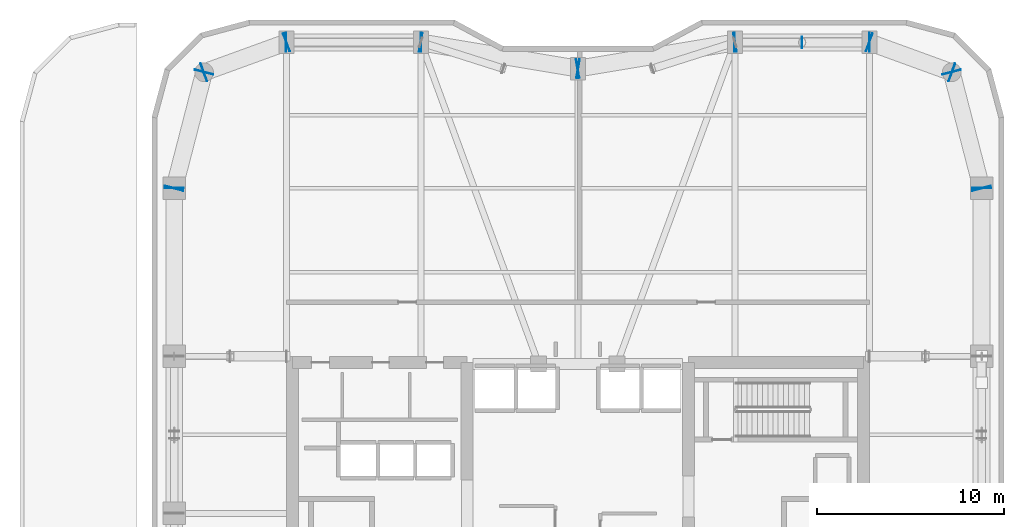
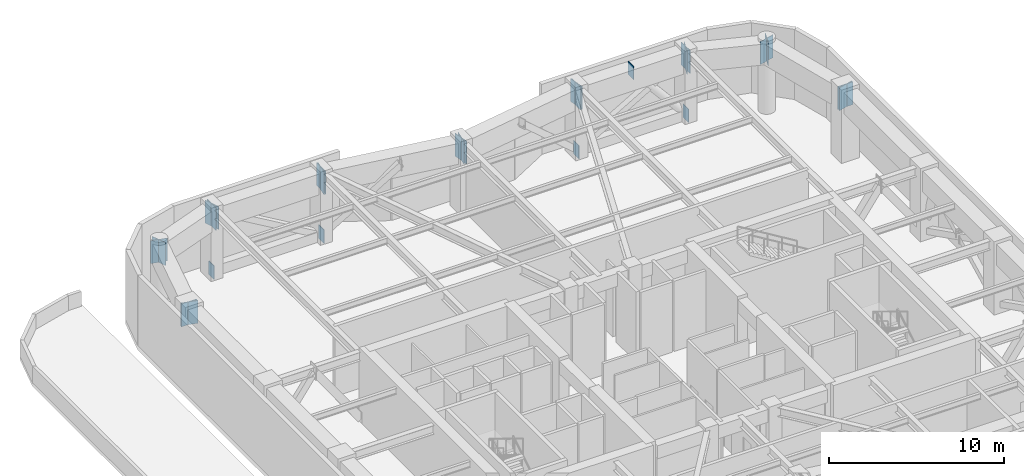
# One storey, part 8 of 16: 23 plates.
"""IFC4 building model written with IfcOpenShell, lengths in metres."""

from ifc_helpers import new_model, si_unit, direction, frame, origin, origin_2d, place, context, subcontext, project, spatial, rectangle, extrude, material, layer, layer_set, type_object, element, save


model = new_model("IFC4")

# Units and contexts
model_context = context("Model", 3, precision=1e-05, world=origin(), true_north=direction((0.0, 1.0)))
body_context = subcontext(model_context, "Body", "Model", "MODEL_VIEW")
ifc_project = project(units=[si_unit("LENGTHUNIT", "METRE"), si_unit("AREAUNIT", "SQUARE_METRE"), si_unit("VOLUMEUNIT", "CUBIC_METRE"), si_unit("PLANEANGLEUNIT", "RADIAN"), si_unit("MASSUNIT", "GRAM", prefix="KILO")], contexts=[model_context])

# Site, building, storey
site_placement = place(None, origin())
site = spatial("IfcSite", under=ifc_project, at=site_placement, CompositionType="ELEMENT")
building_placement = place(site_placement, origin())
building = spatial("IfcBuilding", under=site, at=building_placement, Name="Kiyonajd Concourse Tower", CompositionType="ELEMENT")
storey_placement = place(building_placement, frame((0.0, 0.0, 209.699951171875)))
storey = spatial("IfcBuildingStorey", under=building, at=storey_placement, Name="L53", CompositionType="ELEMENT", Elevation=209.699951171875)

# Plates
ifc_material = material(Name="Steel ASTM A572 Grade 50", Category="steel")
ifc_layer_1 = layer(ifc_material, 0.028076171875)
ifc_layer_set_1 = layer_set([ifc_layer_1], Name="Steel ASTM A572 Grade 50")
plate_type_1 = type_object("IfcPlateType", Name="PL-CAP-450", PredefinedType="USERDEFINED", material=ifc_layer_set_1)
plate_placement = place(storey_placement, frame((59.992919921875, 61.199951171875, 4.076171875), z_axis=(0.0, 0.0, 1.0), x_axis=(-1.0, 0.0, 0.0)))
element("IfcPlate", 1, at=plate_placement, inside=storey, type_object=plate_type_1, Name="L53 Hollow Brace Top Cap Plate PBN", ObjectType="CAP PLATE", PredefinedType="USERDEFINED", context=body_context, shape_type="SweptSolid", body=[
    extrude(rectangle(XDim=0.035888671875, YDim=0.6279296875, at=origin_2d()), origin(), (0.0, 0.0, 1.0), 0.924072265625),
])
ifc_layer_2 = layer(ifc_material, 0.031982421875)
ifc_layer_set_2 = layer_set([ifc_layer_2], Name="Steel ASTM A572 Grade 50")
plate_type_2 = type_object("IfcPlateType", Name="PL-CAP-540", PredefinedType="USERDEFINED", material=ifc_layer_set_2)
for number, where, z_axis, x_axis, name in (
    (2, (32.388916015625, 61.199951171875, -0.169921875), (0.0, 0.0, 1.0), (-1.0, 0.0, 0.0), "L53 Belt Chord Cap Plate"),
    (3, (39.611083984375, 61.199951171875, -0.169921875), (0.0, 0.0, 1.0), (1.0, 0.0, 0.0), "L53 Belt Chord Cap Plate"),
    (4, (56.388916015625, 61.199951171875, -0.169921875), (0.0, 0.0, 1.0), (-1.0, 0.0, 0.0), "L53 Belt Chord Cap Plate"),
    (5, (63.611083984375, 61.199951171875, -0.169921875), (0.0, 0.0, 1.0), (1.0, 0.0, 0.0), "L53 Belt Chord Cap Plate"),
):
    element("IfcPlate", number, at=place(storey_placement, frame(where, z_axis=z_axis, x_axis=x_axis)), inside=storey, type_object=plate_type_2, Name=name, ObjectType="CAP PLATE", PredefinedType="USERDEFINED", context=body_context, shape_type="SweptSolid", body=[
        extrude(rectangle(XDim=0.035888671875, YDim=0.6201171875, at=origin_2d()), origin(), (0.0, 0.0, 1.0), 0.93994140625),
    ])
for number, where, z_axis, x_axis, name in (
    (6, (69.60009765625, 53.410888671875, 3.35986328125), (0.0, 0.0, 1.0), (0.0, 1.0, 0.0), "L53 Welded Box Girder End Cap"),
    (7, (69.602783203125, 53.389404296875, 3.35986328125), (0.0, 0.0, 1.0), (0.249873048837, -0.968278606324, 0.0), "L53 Welded Box Girder End Cap"),
    (8, (67.997314453125, 59.610595703125, 3.35986328125), (0.0, 0.0, 1.0), (-0.249873048837, 0.968278606324, 0.0), "L53 Welded Box Girder End Cap"),
    (9, (68.01025390625, 59.59619140625, 3.35986328125), (0.0, 0.0, 1.0), (0.939811951086, -0.341692107891, 0.0), "L53 Welded Box Girder End Cap"),
    (10, (63.589599609375, 61.203857421875, 3.35986328125), (0.0, 0.0, 1.0), (-0.939811951086, 0.341692107891, 0.0), "L53 Welded Box Girder End Cap"),
    (11, (63.611083984375, 61.199951171875, 3.35986328125), (0.0, 0.0, 1.0), (1.0, 0.0, 0.0), "L53 Welded Box Girder End Cap"),
    (12, (56.388916015625, 61.199951171875, 3.35986328125), (0.0, 0.0, 1.0), (-1.0, 0.0, 0.0), "L53 Welded Box Girder End Cap"),
    (13, (56.410888671875, 61.201904296875, 3.35986328125), (0.0, 0.0, 1.0), (0.986400586142, 0.164359008451, 0.0), "L53 Welded Box Girder End Cap"),
    (14, (47.989013671875, 59.798095703125, 3.35986328125), (0.0, 0.0, 1.0), (-0.986400586142, -0.164359008451, 0.0), "L53 Welded Box Girder End Cap"),
    (15, (48.010986328125, 59.798095703125, 3.35986328125), (0.0, 0.0, 1.0), (0.986400586142, -0.164359008451, 0.0), "L53 Welded Box Girder End Cap"),
    (16, (39.589111328125, 61.201904296875, 3.35986328125), (0.0, 0.0, 1.0), (-0.986400586142, 0.164359008451, 0.0), "L53 Welded Box Girder End Cap"),
    (17, (39.611083984375, 61.199951171875, 3.35986328125), (0.0, 0.0, 1.0), (1.0, 0.0, 0.0), "L53 Welded Box Girder End Cap"),
    (18, (32.388916015625, 61.199951171875, 3.35986328125), (0.0, 0.0, 1.0), (-1.0, 0.0, 0.0), "L53 Welded Box Girder End Cap"),
    (19, (32.410400390625, 61.203857421875, 3.35986328125), (0.0, 0.0, 1.0), (0.939811951086, 0.341692107891, 0.0), "L53 Welded Box Girder End Cap"),
    (20, (27.98974609375, 59.59619140625, 3.35986328125), (0.0, 0.0, 1.0), (-0.939811951086, -0.341692107891, 0.0), "L53 Welded Box Girder End Cap"),
    (21, (28.002685546875, 59.610595703125, 3.35986328125), (0.0, 0.0, 1.0), (0.249873048837, 0.968278606324, 0.0), "L53 Welded Box Girder End Cap"),
    (22, (26.397216796875, 53.389404296875, 3.35986328125), (0.0, 0.0, 1.0), (-0.249873048837, -0.968278606324, 0.0), "L53 Welded Box Girder End Cap"),
    (23, (26.39990234375, 53.410888671875, 3.35986328125), (0.0, 0.0, 1.0), (0.0, 1.0, 0.0), "L53 Welded Box Girder End Cap"),
):
    element("IfcPlate", number, at=place(storey_placement, frame(where, z_axis=z_axis, x_axis=x_axis)), inside=storey, type_object=plate_type_2, Name=name, ObjectType="CAP PLATE", PredefinedType="USERDEFINED", context=body_context, shape_type="SweptSolid", body=[
        extrude(rectangle(XDim=0.035888671875, YDim=1.02001953125, at=origin_2d()), origin(), (0.0, 0.0, 1.0), 1.590087890625),
    ])

save(model, "model.ifc")
